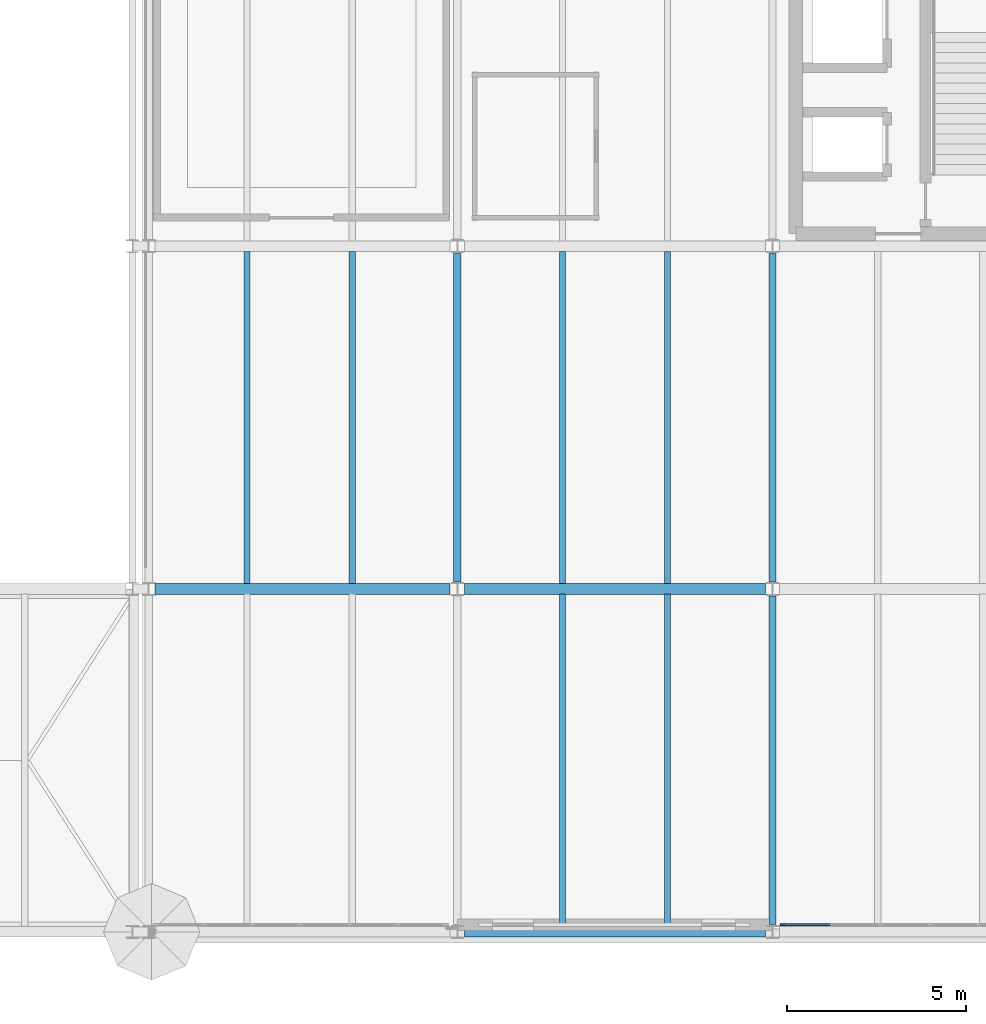
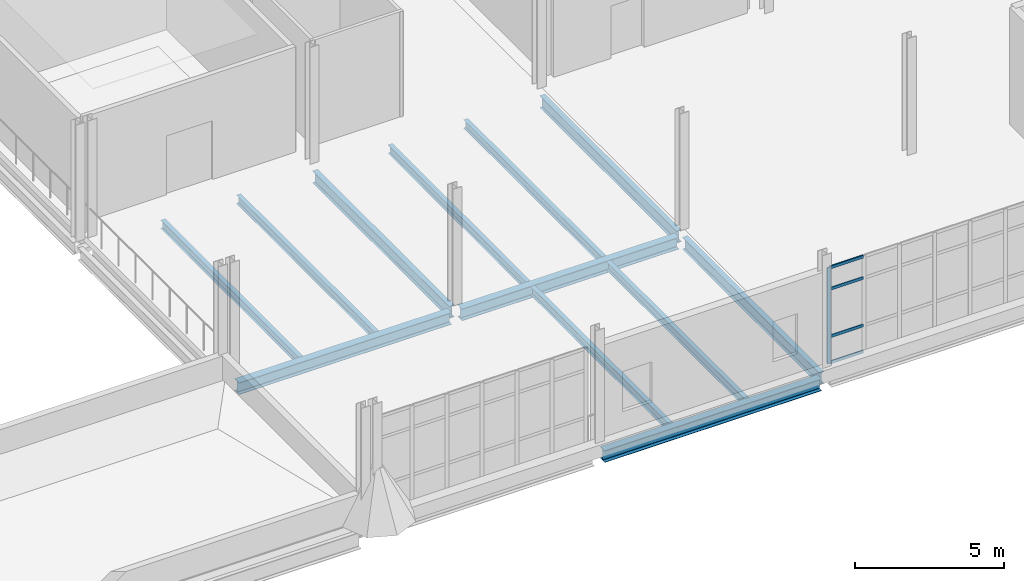
# One storey, part 56 of 112: 12 beams, 5 members, 1 element without a shape of its own.
"""IFC4 building model written with IfcOpenShell, lengths in metres."""

from ifc_helpers import new_model, si_unit, direction, frame, origin, origin_2d, place, context, subcontext, project, spatial, rectangle, i_section, extrude, material, layer, layer_set, material_profile, profile_set, type_object, element, aggregate, save


model = new_model("IFC4")

# Units and contexts
model_context = context("Model", 3, precision=1e-05, world=origin(), true_north=direction((0.0, 1.0)))
body_context = subcontext(model_context, "Body", "Model", "MODEL_VIEW")
ifc_project = project(units=[si_unit("LENGTHUNIT", "METRE"), si_unit("AREAUNIT", "SQUARE_METRE"), si_unit("VOLUMEUNIT", "CUBIC_METRE"), si_unit("PLANEANGLEUNIT", "RADIAN"), si_unit("MASSUNIT", "GRAM", prefix="KILO")], contexts=[model_context])

# Site, building, storey
site_placement = place(None, origin())
site = spatial("IfcSite", under=ifc_project, at=site_placement, CompositionType="ELEMENT")
building_placement = place(site_placement, origin())
building = spatial("IfcBuilding", under=site, at=building_placement, Name="Yeouljin Market Hall", CompositionType="ELEMENT")
storey_placement = place(building_placement, frame((0.0, 0.0, 6.0)))
storey = spatial("IfcBuildingStorey", under=building, at=storey_placement, Name="L01", CompositionType="ELEMENT", Elevation=6.0)

# Beams
ifc_material_1 = material(Name="Steel SM355", Category="steel")
ifc_material_profile_1 = material_profile(ifc_material_1, i_section(OverallWidth=0.199951171875, OverallDepth=0.5, WebThickness=0.010009765625, FlangeThickness=0.01611328125, FilletRadius=0.02001953125, at=origin_2d()), Name="H-500x200x10x16")
ifc_profile_set_1 = profile_set([ifc_material_profile_1], Name="Steel SM355")
beam_type_1 = type_object("IfcBeamType", Name="Beam_H-500x200x10x16", PredefinedType="BEAM", material=ifc_profile_set_1)
for number, where, z_axis, x_axis, name in (
    (1, (149.909912109375, 9.800048828125, -0.514892578125), (0.0, 1.0, 0.0), (-1.0, 0.0, 0.0), "Primary beam BM-L01-Y219"),
    (2, (158.739990234375, 0.199951171875, -0.514892578125), (0.0, 1.0, 0.0), (-1.0, 0.0, 0.0), "Primary beam BM-L01-Y221"),
    (3, (158.739990234375, 9.800048828125, -0.514892578125), (0.0, 1.0, 0.0), (-1.0, 0.0, 0.0), "Primary beam BM-L01-Y222"),
):
    element("IfcBeam", number, at=place(storey_placement, frame(where, z_axis=z_axis, x_axis=x_axis)), inside=storey, type_object=beam_type_1, Name=name, PredefinedType="BEAM", context=body_context, shape_type="SweptSolid", body=[
        extrude(i_section(OverallWidth=0.199951171875, OverallDepth=0.5, WebThickness=0.010009765625, FlangeThickness=0.01611328125, FilletRadius=0.02001953125, at=origin_2d()), origin(), (0.0, 0.0, 1.0), 9.199951171875),
    ])

# Curtain wall, members
ifc_material_2 = material(Name="Thermally Broken Aluminium", Category="aluminium")
ifc_layer = layer(ifc_material_2, 0.14990234375)
ifc_layer_set = layer_set([ifc_layer], Name="Thermally Broken Aluminium")
curtain_wall_type = type_object("IfcCurtainWallType", Name="CW_AcademyRibbon_System", PredefinedType="USERDEFINED", material=ifc_layer_set)
curtain_wall_placement = place(storey_placement, origin())
curtain_wall = element("IfcCurtainWall", 4, at=curtain_wall_placement, inside=storey, type_object=curtain_wall_type, Name="Curtain wall CW-L01-W10", ObjectType="CURTAIN WALL", PredefinedType="USERDEFINED")
ifc_material_3 = material(Name="Thermally Broken Aluminium", Category="aluminium")
ifc_material_profile_2 = material_profile(ifc_material_3, rectangle(XDim=0.048095703125, YDim=0.14990234375, at=origin_2d()), Name="CW-MULL-48x150")
ifc_profile_set_2 = profile_set([ifc_material_profile_2], Name="Thermally Broken Aluminium")
member_type_1 = type_object("IfcMemberType", Name="CWMullion_48x150", PredefinedType="MULLION", material=ifc_profile_set_2)
member_1_placement = place(storey_placement, frame((159.02392578125, 0.199951171875, 0.0), z_axis=(0.0, 0.0, 1.0), x_axis=(0.0, -1.0, 0.0)))
member_1 = element("IfcMember", 5, at=member_1_placement, type_object=member_type_1, Name="CW-05 mullion 7", PredefinedType="MULLION", context=body_context, shape_type="SweptSolid", body=[
    extrude(rectangle(XDim=0.048095703125, YDim=0.14990234375, at=origin_2d()), origin(), (0.0, 0.0, 1.0), 3.949951171875),
])
ifc_material_4 = material(Name="Thermally Broken Aluminium", Category="aluminium")
ifc_material_profile_3 = material_profile(ifc_material_4, rectangle(XDim=0.048095703125, YDim=0.1201171875, at=origin_2d()), Name="CW-TRAN-48x120")
ifc_profile_set_3 = profile_set([ifc_material_profile_3], Name="Thermally Broken Aluminium")
member_type_2 = type_object("IfcMemberType", Name="CWTransom_48x120", PredefinedType="USERDEFINED", material=ifc_profile_set_3)
member_2_placement = place(storey_placement, frame((160.35107421875, 0.199951171875, 0.02392578125), z_axis=(-1.0, 0.0, 0.0), x_axis=(0.0, -1.0, 0.0)))
member_2 = element("IfcMember", 6, at=member_2_placement, type_object=member_type_2, Name="CW-05 transom 6.1", ObjectType="TRANSOM", PredefinedType="USERDEFINED", context=body_context, shape_type="SweptSolid", body=[
    extrude(rectangle(XDim=0.048095703125, YDim=0.1201171875, at=origin_2d()), origin(), (0.0, 0.0, 1.0), 1.302978515625),
])
member_3_placement = place(storey_placement, frame((160.35107421875, 0.199951171875, 1.10009765625), z_axis=(-1.0, 0.0, 0.0), x_axis=(0.0, -1.0, 0.0)))
member_3 = element("IfcMember", 7, at=member_3_placement, type_object=member_type_2, Name="CW-05 transom 6.2", ObjectType="TRANSOM", PredefinedType="USERDEFINED", context=body_context, shape_type="SweptSolid", body=[
    extrude(rectangle(XDim=0.048095703125, YDim=0.1201171875, at=origin_2d()), origin(), (0.0, 0.0, 1.0), 1.302978515625),
])
member_4_placement = place(storey_placement, frame((160.35107421875, 0.199951171875, 3.050048828125), z_axis=(-1.0, 0.0, 0.0), x_axis=(0.0, -1.0, 0.0)))
member_4 = element("IfcMember", 8, at=member_4_placement, type_object=member_type_2, Name="CW-05 transom 6.3", ObjectType="TRANSOM", PredefinedType="USERDEFINED", context=body_context, shape_type="SweptSolid", body=[
    extrude(rectangle(XDim=0.048095703125, YDim=0.1201171875, at=origin_2d()), origin(), (0.0, 0.0, 1.0), 1.302978515625),
])
member_5_placement = place(storey_placement, frame((160.35107421875, 0.199951171875, 3.926025390625), z_axis=(-1.0, 0.0, 0.0), x_axis=(0.0, -1.0, 0.0)))
member_5 = element("IfcMember", 9, at=member_5_placement, type_object=member_type_2, Name="CW-05 transom 6.4", ObjectType="TRANSOM", PredefinedType="USERDEFINED", context=body_context, shape_type="SweptSolid", body=[
    extrude(rectangle(XDim=0.048095703125, YDim=0.1201171875, at=origin_2d()), origin(), (0.0, 0.0, 1.0), 1.302978515625),
])
aggregate(curtain_wall, [member_1, member_2, member_3, member_4, member_5])

# Beams
ifc_material_5 = material(Name="Steel SM355", Category="steel")
ifc_material_profile_4 = material_profile(ifc_material_5, i_section(OverallWidth=0.300048828125, OverallDepth=0.488037109375, WebThickness=0.010986328125, FlangeThickness=0.01806640625, FilletRadius=0.02197265625, at=origin_2d()), Name="H-488x300x11x18")
ifc_profile_set_4 = profile_set([ifc_material_profile_4], Name="Steel SM355")
beam_type_2 = type_object("IfcBeamType", Name="Girder_H-488x300x11x18", PredefinedType="USERDEFINED", material=ifc_profile_set_4)
beam_1_placement = place(storey_placement, frame((150.110107421875, 0.0, -0.509033203125), z_axis=(1.0, 0.0, 0.0), x_axis=(0.0, 1.0, 0.0)))
element("IfcBeam", 10, at=beam_1_placement, inside=storey, type_object=beam_type_2, Name="Primary girder GRD-L01-X012", ObjectType="GIRDER", PredefinedType="USERDEFINED", context=body_context, shape_type="SweptSolid", body=[
    extrude(i_section(OverallWidth=0.300048828125, OverallDepth=0.488037109375, WebThickness=0.010986328125, FlangeThickness=0.01806640625, FilletRadius=0.02197265625, at=origin_2d()), origin(), (0.0, 0.0, 1.0), 8.429931640625),
])
beam_2_placement = place(storey_placement, frame((141.445068359375, 9.60009765625, -0.509033203125), z_axis=(1.0, 0.0, 0.0), x_axis=(0.0, 1.0, 0.0)))
element("IfcBeam", 11, at=beam_2_placement, inside=storey, type_object=beam_type_2, Name="Primary girder GRD-L01-X025", ObjectType="GIRDER", PredefinedType="USERDEFINED", context=body_context, shape_type="SweptSolid", body=[
    extrude(i_section(OverallWidth=0.300048828125, OverallDepth=0.488037109375, WebThickness=0.010986328125, FlangeThickness=0.01806640625, FilletRadius=0.02197265625, at=origin_2d()), origin(), (0.0, 0.0, 1.0), 8.264892578125),
])
beam_3_placement = place(storey_placement, frame((150.110107421875, 9.60009765625, -0.509033203125), z_axis=(1.0, 0.0, 0.0), x_axis=(0.0, 1.0, 0.0)))
element("IfcBeam", 12, at=beam_3_placement, inside=storey, type_object=beam_type_2, Name="Primary girder GRD-L01-X026", ObjectType="GIRDER", PredefinedType="USERDEFINED", context=body_context, shape_type="SweptSolid", body=[
    extrude(i_section(OverallWidth=0.300048828125, OverallDepth=0.488037109375, WebThickness=0.010986328125, FlangeThickness=0.01806640625, FilletRadius=0.02197265625, at=origin_2d()), origin(), (0.0, 0.0, 1.0), 8.429931640625),
])
ifc_material_6 = material(Name="Steel SM355", Category="steel")
ifc_material_profile_5 = material_profile(ifc_material_6, i_section(OverallWidth=0.175048828125, OverallDepth=0.35009765625, WebThickness=0.007080078125, FlangeThickness=0.010986328125, FilletRadius=0.013916015625, at=origin_2d()), Name="H-350x175x7x11")
ifc_profile_set_5 = profile_set([ifc_material_profile_5], Name="Steel SM355")
beam_type_3 = type_object("IfcBeamType", Name="Joist_H-350x175x7x11", PredefinedType="JOIST", material=ifc_profile_set_5)
for number, where, z_axis, x_axis, name in (
    (13, (144.023193359375, 9.7470703125, -0.43994140625), (0.0, 1.0, 0.0), (-1.0, 0.0, 0.0), "Secondary floor joist L01-102"),
    (14, (146.966796875, 9.7470703125, -0.43994140625), (0.0, 1.0, 0.0), (-1.0, 0.0, 0.0), "Secondary floor joist L01-103"),
    (15, (152.853271484375, 0.14697265625, -0.43994140625), (0.0, 1.0, 0.0), (-1.0, 0.0, 0.0), "Secondary floor joist L01-106"),
    (16, (155.796630859375, 0.14697265625, -0.43994140625), (0.0, 1.0, 0.0), (-1.0, 0.0, 0.0), "Secondary floor joist L01-107"),
    (17, (152.853271484375, 9.7470703125, -0.43994140625), (0.0, 1.0, 0.0), (-1.0, 0.0, 0.0), "Secondary floor joist L01-108"),
    (18, (155.796630859375, 9.7470703125, -0.43994140625), (0.0, 1.0, 0.0), (-1.0, 0.0, 0.0), "Secondary floor joist L01-109"),
):
    element("IfcBeam", number, at=place(storey_placement, frame(where, z_axis=z_axis, x_axis=x_axis)), inside=storey, type_object=beam_type_3, Name=name, PredefinedType="JOIST", context=body_context, shape_type="SweptSolid", body=[
        extrude(i_section(OverallWidth=0.175048828125, OverallDepth=0.35009765625, WebThickness=0.007080078125, FlangeThickness=0.010986328125, FilletRadius=0.013916015625, at=origin_2d()), origin(), (0.0, 0.0, 1.0), 9.305908203125),
    ])

save(model, "model.ifc")
